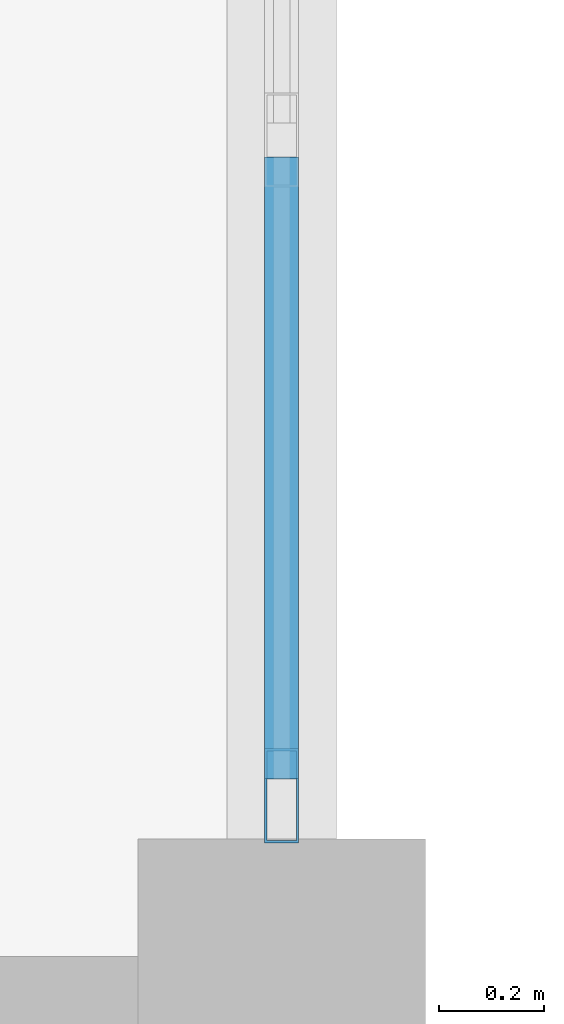
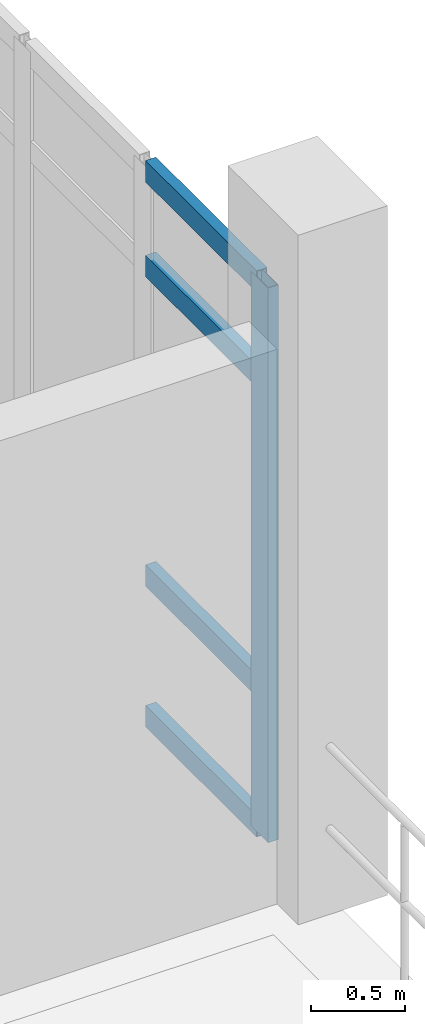
# One storey, part 5 of 57: 5 members, 1 element without a shape of its own.
"""IFC4 building model written with IfcOpenShell, lengths in metres."""

from ifc_helpers import new_model, si_unit, direction, frame, origin, origin_2d, place, context, subcontext, project, spatial, hollow_rectangle, extrude, material, material_profile, profile_set, type_object, element, aggregate, save


model = new_model("IFC4")

# Units and contexts
model_context = context("Model", 3, precision=1e-05, world=origin(), true_north=direction((0.0, 1.0)))
body_context = subcontext(model_context, "Body", "Model", "MODEL_VIEW")
ifc_project = project(units=[si_unit("LENGTHUNIT", "METRE"), si_unit("AREAUNIT", "SQUARE_METRE"), si_unit("VOLUMEUNIT", "CUBIC_METRE"), si_unit("PLANEANGLEUNIT", "RADIAN"), si_unit("MASSUNIT", "GRAM", prefix="KILO")], contexts=[model_context])

# Site, building, storey
site_placement = place(None, origin())
site = spatial("IfcSite", under=ifc_project, at=site_placement, CompositionType="ELEMENT")
building_placement = place(site_placement, origin())
building = spatial("IfcBuilding", under=site, at=building_placement, Name="Kalluvel Institute of Natural Sciences", CompositionType="ELEMENT")
storey_placement = place(building_placement, frame((0.0, 0.0, 23.39990234375)))
storey = spatial("IfcBuildingStorey", under=building, at=storey_placement, Name="L05", CompositionType="ELEMENT", Elevation=23.39990234375)

# Curtain wall, members
ifc_material = material(Name="Aluminium AW-6063 T6", Category="aluminium")
curtain_wall_type = type_object("IfcCurtainWallType", Name="CW-DRY-45", PredefinedType="USERDEFINED", material=ifc_material)
curtain_wall_placement = place(storey_placement, origin())
curtain_wall = element("IfcCurtainWall", 1, at=curtain_wall_placement, inside=storey, type_object=curtain_wall_type, Name="L05 Gothic lancet curtain wall CWA-L05-X356-Y288", ObjectType="UNITISED LANCET FACADE", PredefinedType="USERDEFINED")
ifc_material_profile_1 = material_profile(ifc_material, hollow_rectangle(XDim=0.06494140625, YDim=0.179931640625, WallThickness=0.00439453125, at=origin_2d()), Name="CWM 65x180")
ifc_profile_set_1 = profile_set([ifc_material_profile_1], Name="Aluminium AW-6063 T6")
member_type_1 = type_object("IfcMemberType", Name="CWM-65x180", PredefinedType="MULLION", material=ifc_profile_set_1)
member_1_placement = place(storey_placement, frame((35.60009765625, 28.857421875, 0.0), z_axis=(0.0, 0.0, 1.0), x_axis=(-1.0, 0.0, 0.0)))
member_1 = element("IfcMember", 2, at=member_1_placement, type_object=member_type_1, Name="CW-03 mullion 1", PredefinedType="MULLION", context=body_context, shape_type="SweptSolid", body=[
    extrude(hollow_rectangle(XDim=0.06494140625, YDim=0.179931640625, WallThickness=0.00439453125, at=origin_2d()), origin(), (0.0, 0.0, 1.0), 3.6201171875),
])
ifc_material_profile_2 = material_profile(ifc_material, hollow_rectangle(XDim=0.06494140625, YDim=0.139892578125, WallThickness=0.00439453125, at=origin_2d()), Name="CWT 65x140")
ifc_profile_set_2 = profile_set([ifc_material_profile_2], Name="Aluminium AW-6063 T6")
member_type_2 = type_object("IfcMemberType", Name="CWT-65x140", PredefinedType="USERDEFINED", material=ifc_profile_set_2)
member_2_placement = place(storey_placement, frame((35.60009765625, 28.889892578125, 0.03271484375), z_axis=(0.0, 1.0, 0.0), x_axis=(-1.0, 0.0, 0.0)))
member_2 = element("IfcMember", 3, at=member_2_placement, type_object=member_type_2, Name="CW-03 transom 1.1", ObjectType="TRANSOM", PredefinedType="USERDEFINED", context=body_context, shape_type="SweptSolid", body=[
    extrude(hollow_rectangle(XDim=0.06494140625, YDim=0.139892578125, WallThickness=0.00439453125, at=origin_2d()), origin(), (0.0, 0.0, 1.0), 1.1875),
])
member_3_placement = place(storey_placement, frame((35.60009765625, 28.889892578125, 0.9501953125), z_axis=(0.0, 1.0, 0.0), x_axis=(-1.0, 0.0, 0.0)))
member_3 = element("IfcMember", 4, at=member_3_placement, type_object=member_type_2, Name="CW-03 transom 1.2", ObjectType="TRANSOM", PredefinedType="USERDEFINED", context=body_context, shape_type="SweptSolid", body=[
    extrude(hollow_rectangle(XDim=0.06494140625, YDim=0.139892578125, WallThickness=0.00439453125, at=origin_2d()), origin(), (0.0, 0.0, 1.0), 1.1875),
])
member_4_placement = place(storey_placement, frame((35.60009765625, 28.889892578125, 2.97021484375), z_axis=(0.0, 1.0, 0.0), x_axis=(-1.0, 0.0, 0.0)))
member_4 = element("IfcMember", 5, at=member_4_placement, type_object=member_type_2, Name="CW-03 transom 1.3", ObjectType="TRANSOM", PredefinedType="USERDEFINED", context=body_context, shape_type="SweptSolid", body=[
    extrude(hollow_rectangle(XDim=0.06494140625, YDim=0.139892578125, WallThickness=0.00439453125, at=origin_2d()), origin(), (0.0, 0.0, 1.0), 1.1875),
])
member_5_placement = place(storey_placement, frame((35.60009765625, 28.889892578125, 3.587646484375), z_axis=(0.0, 1.0, 0.0), x_axis=(-1.0, 0.0, 0.0)))
member_5 = element("IfcMember", 6, at=member_5_placement, type_object=member_type_2, Name="CW-03 transom 1.4", ObjectType="TRANSOM", PredefinedType="USERDEFINED", context=body_context, shape_type="SweptSolid", body=[
    extrude(hollow_rectangle(XDim=0.06494140625, YDim=0.139892578125, WallThickness=0.00439453125, at=origin_2d()), origin(), (0.0, 0.0, 1.0), 1.1875),
])
aggregate(curtain_wall, [member_1, member_2, member_3, member_4, member_5])

save(model, "model.ifc")
